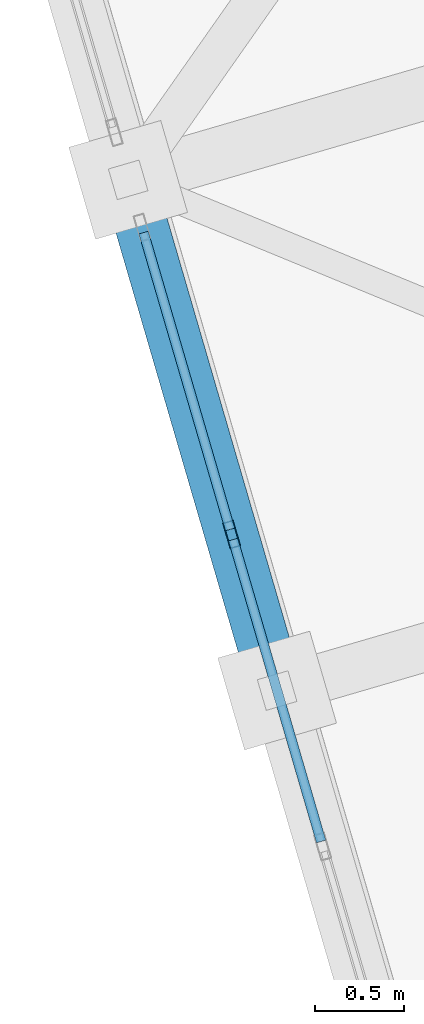
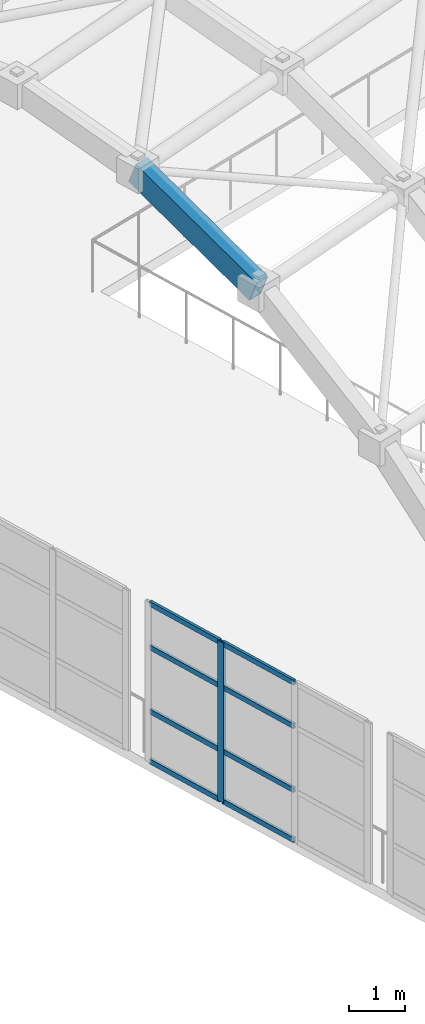
# One storey, part 34 of 248: 9 members, 1 beam, 1 element without a shape of its own.
"""IFC4 building model written with IfcOpenShell, lengths in metres."""

from ifc_helpers import new_model, si_unit, direction, frame, origin, origin_2d, place, context, subcontext, project, spatial, hollow_rectangle, extrude, material, layer, layer_set, material_profile, profile_set, type_object, element, aggregate, save


model = new_model("IFC4")

# Units and contexts
model_context = context("Model", 3, precision=1e-05, world=origin(), true_north=direction((0.0, 1.0)))
body_context = subcontext(model_context, "Body", "Model", "MODEL_VIEW")
ifc_project = project(units=[si_unit("LENGTHUNIT", "METRE"), si_unit("AREAUNIT", "SQUARE_METRE"), si_unit("VOLUMEUNIT", "CUBIC_METRE"), si_unit("PLANEANGLEUNIT", "RADIAN"), si_unit("MASSUNIT", "GRAM", prefix="KILO")], contexts=[model_context])

# Site, building, storey
site_placement = place(None, origin())
site = spatial("IfcSite", under=ifc_project, at=site_placement, CompositionType="ELEMENT")
building_placement = place(site_placement, origin())
building = spatial("IfcBuilding", under=site, at=building_placement, Name="Canggui Botanical Conservatory", CompositionType="ELEMENT")
storey_placement = place(building_placement, frame((0.0, 0.0, 5.39990234375)))
storey = spatial("IfcBuildingStorey", under=building, at=storey_placement, Name="L02", CompositionType="ELEMENT", Elevation=5.39990234375)

# Beam
ifc_material_1 = material(Name="Steel Q355C", Category="steel")
ifc_material_profile_1 = material_profile(ifc_material_1, hollow_rectangle(XDim=0.300048828125, YDim=0.5, WallThickness=0.01611328125, at=origin_2d()), Name="RHS 300x500x16")
ifc_profile_set_1 = profile_set([ifc_material_profile_1], Name="Steel Q355C")
beam_type = type_object("IfcBeamType", Name="BM-GJ01", PredefinedType="BEAM", material=ifc_profile_set_1)
beam_placement = place(storey_placement, frame((17.47998046875, 50.639892578125, 11.6640625), z_axis=(-0.261403948618, 0.896187847093, 0.358490332324), x_axis=(-0.959995442804, -0.2800156242, 0.0)))
element("IfcBeam", 1, at=beam_placement, inside=storey, type_object=beam_type, Name="Conservatory Stepped-Arch Rib GJ-01 Segment 4", PredefinedType="BEAM", context=body_context, shape_type="SweptSolid", body=[
    extrude(hollow_rectangle(XDim=0.300048828125, YDim=0.5, WallThickness=0.01611328125, at=origin_2d()), origin(), (0.0, 0.0, 1.0), 3.2138671875),
])

# Curtain wall, members
ifc_material_2 = material(Name="Thermally Broken Aluminium", Category="aluminium")
ifc_layer = layer(ifc_material_2, 0.14990234375, Name="Thermally Broken Aluminium", Category="aluminium")
ifc_layer_set = layer_set([ifc_layer], Name="Thermally Broken Aluminium")
curtain_wall_type = type_object("IfcCurtainWallType", Name="CW-UNIT-C", PredefinedType="USERDEFINED", material=ifc_layer_set)
curtain_wall_placement = place(storey_placement, origin())
curtain_wall = element("IfcCurtainWall", 2, at=curtain_wall_placement, inside=storey, type_object=curtain_wall_type, Name="Facade Curtain Wall CW-CONS-GABLE-L02-S-02", ObjectType="UNITISED CURTAIN WALL", PredefinedType="USERDEFINED")
ifc_material_profile_2 = material_profile(ifc_material_2, hollow_rectangle(XDim=0.06005859375, YDim=0.14990234375, WallThickness=0.00341796875, at=origin_2d()), Name="CWM 60x150x3.5")
ifc_profile_set_2 = profile_set([ifc_material_profile_2], Name="Thermally Broken Aluminium")
member_type_1 = type_object("IfcMemberType", Name="CWM-03", PredefinedType="MULLION", material=ifc_profile_set_2)
member_1_placement = place(storey_placement, frame((17.223388671875, 51.52001953125, 0.0), z_axis=(0.0, 0.0, 1.0), x_axis=(-0.960000000002, -0.279999999995, 0.0)))
member_1 = element("IfcMember", 3, at=member_1_placement, type_object=member_type_1, Name="CW-03 mullion 3", PredefinedType="MULLION", context=body_context, shape_type="SweptSolid", body=[
    extrude(hollow_rectangle(XDim=0.06005859375, YDim=0.14990234375, WallThickness=0.00341796875, at=origin_2d()), origin(), (0.0, 0.0, 1.0), 3.5),
])
ifc_material_profile_3 = material_profile(ifc_material_2, hollow_rectangle(XDim=0.054931640625, YDim=0.110107421875, WallThickness=0.0029296875, at=origin_2d()), Name="CWT 55x110x3")
ifc_profile_set_3 = profile_set([ifc_material_profile_3], Name="Thermally Broken Aluminium")
member_type_2 = type_object("IfcMemberType", Name="CWT-03", PredefinedType="USERDEFINED", material=ifc_profile_set_3)
member_2_placement = place(storey_placement, frame((17.728271484375, 49.788818359375, 0.027587890625), z_axis=(-0.280026433067, 0.95999228996, 0.0), x_axis=(-0.95999228996, -0.280026433067, 0.0)))
member_2 = element("IfcMember", 4, at=member_2_placement, type_object=member_type_2, Name="CW-03 transom 2.1", ObjectType="TRANSOM", PredefinedType="USERDEFINED", context=body_context, shape_type="SweptSolid", body=[
    extrude(hollow_rectangle(XDim=0.054931640625, YDim=0.110107421875, WallThickness=0.0029296875, at=origin_2d()), origin(), (0.0, 0.0, 1.0), 1.7734375),
])
member_3_placement = place(storey_placement, frame((17.728271484375, 49.788818359375, 1.1201171875), z_axis=(-0.280026433067, 0.95999228996, 0.0), x_axis=(-0.95999228996, -0.280026433067, 0.0)))
member_3 = element("IfcMember", 5, at=member_3_placement, type_object=member_type_2, Name="CW-03 transom 2.2", ObjectType="TRANSOM", PredefinedType="USERDEFINED", context=body_context, shape_type="SweptSolid", body=[
    extrude(hollow_rectangle(XDim=0.054931640625, YDim=0.110107421875, WallThickness=0.0029296875, at=origin_2d()), origin(), (0.0, 0.0, 1.0), 1.7734375),
])
member_4_placement = place(storey_placement, frame((17.728271484375, 49.788818359375, 2.52001953125), z_axis=(-0.280026433067, 0.95999228996, 0.0), x_axis=(-0.95999228996, -0.280026433067, 0.0)))
member_4 = element("IfcMember", 6, at=member_4_placement, type_object=member_type_2, Name="CW-03 transom 2.3", ObjectType="TRANSOM", PredefinedType="USERDEFINED", context=body_context, shape_type="SweptSolid", body=[
    extrude(hollow_rectangle(XDim=0.054931640625, YDim=0.110107421875, WallThickness=0.0029296875, at=origin_2d()), origin(), (0.0, 0.0, 1.0), 1.7734375),
])
member_5_placement = place(storey_placement, frame((17.728271484375, 49.788818359375, 3.47265625), z_axis=(-0.280026433067, 0.95999228996, 0.0), x_axis=(-0.95999228996, -0.280026433067, 0.0)))
member_5 = element("IfcMember", 7, at=member_5_placement, type_object=member_type_2, Name="CW-03 transom 2.4", ObjectType="TRANSOM", PredefinedType="USERDEFINED", context=body_context, shape_type="SweptSolid", body=[
    extrude(hollow_rectangle(XDim=0.054931640625, YDim=0.110107421875, WallThickness=0.0029296875, at=origin_2d()), origin(), (0.0, 0.0, 1.0), 1.7734375),
])
member_6_placement = place(storey_placement, frame((17.21484375, 51.548828125, 0.027587890625), z_axis=(-0.279951599808, 0.960014115399, 0.0), x_axis=(-0.960014115399, -0.279951599808, 0.0)))
member_6 = element("IfcMember", 8, at=member_6_placement, type_object=member_type_2, Name="CW-03 transom 3.1", ObjectType="TRANSOM", PredefinedType="USERDEFINED", context=body_context, shape_type="SweptSolid", body=[
    extrude(hollow_rectangle(XDim=0.054931640625, YDim=0.110107421875, WallThickness=0.0029296875, at=origin_2d()), origin(), (0.0, 0.0, 1.0), 1.743408203125),
])
member_7_placement = place(storey_placement, frame((17.21484375, 51.548828125, 1.1201171875), z_axis=(-0.279951599808, 0.960014115399, 0.0), x_axis=(-0.960014115399, -0.279951599808, 0.0)))
member_7 = element("IfcMember", 9, at=member_7_placement, type_object=member_type_2, Name="CW-03 transom 3.2", ObjectType="TRANSOM", PredefinedType="USERDEFINED", context=body_context, shape_type="SweptSolid", body=[
    extrude(hollow_rectangle(XDim=0.054931640625, YDim=0.110107421875, WallThickness=0.0029296875, at=origin_2d()), origin(), (0.0, 0.0, 1.0), 1.743408203125),
])
member_8_placement = place(storey_placement, frame((17.21484375, 51.548828125, 2.52001953125), z_axis=(-0.279951599808, 0.960014115399, 0.0), x_axis=(-0.960014115399, -0.279951599808, 0.0)))
member_8 = element("IfcMember", 10, at=member_8_placement, type_object=member_type_2, Name="CW-03 transom 3.3", ObjectType="TRANSOM", PredefinedType="USERDEFINED", context=body_context, shape_type="SweptSolid", body=[
    extrude(hollow_rectangle(XDim=0.054931640625, YDim=0.110107421875, WallThickness=0.0029296875, at=origin_2d()), origin(), (0.0, 0.0, 1.0), 1.743408203125),
])
member_9_placement = place(storey_placement, frame((17.21484375, 51.548828125, 3.47265625), z_axis=(-0.279951599808, 0.960014115399, 0.0), x_axis=(-0.960014115399, -0.279951599808, 0.0)))
member_9 = element("IfcMember", 11, at=member_9_placement, type_object=member_type_2, Name="CW-03 transom 3.4", ObjectType="TRANSOM", PredefinedType="USERDEFINED", context=body_context, shape_type="SweptSolid", body=[
    extrude(hollow_rectangle(XDim=0.054931640625, YDim=0.110107421875, WallThickness=0.0029296875, at=origin_2d()), origin(), (0.0, 0.0, 1.0), 1.743408203125),
])
aggregate(curtain_wall, [member_1, member_2, member_3, member_4, member_5, member_6, member_7, member_8, member_9])

save(model, "model.ifc")
